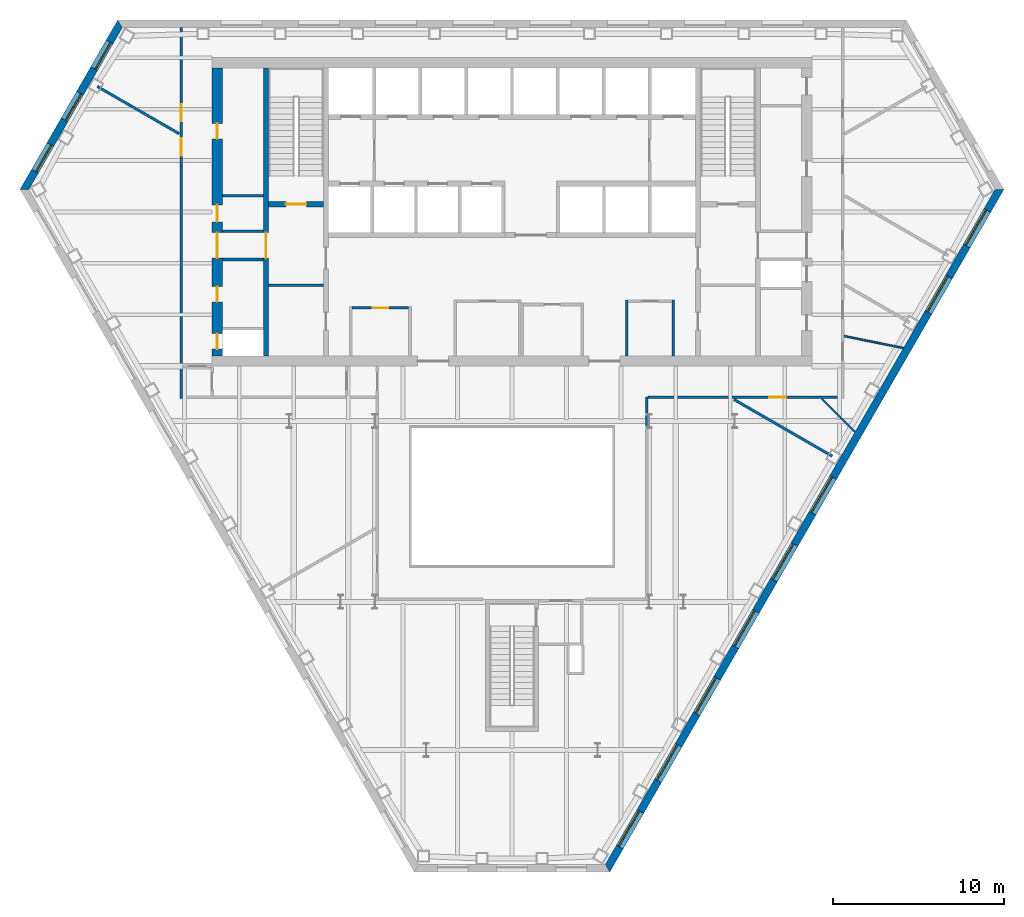
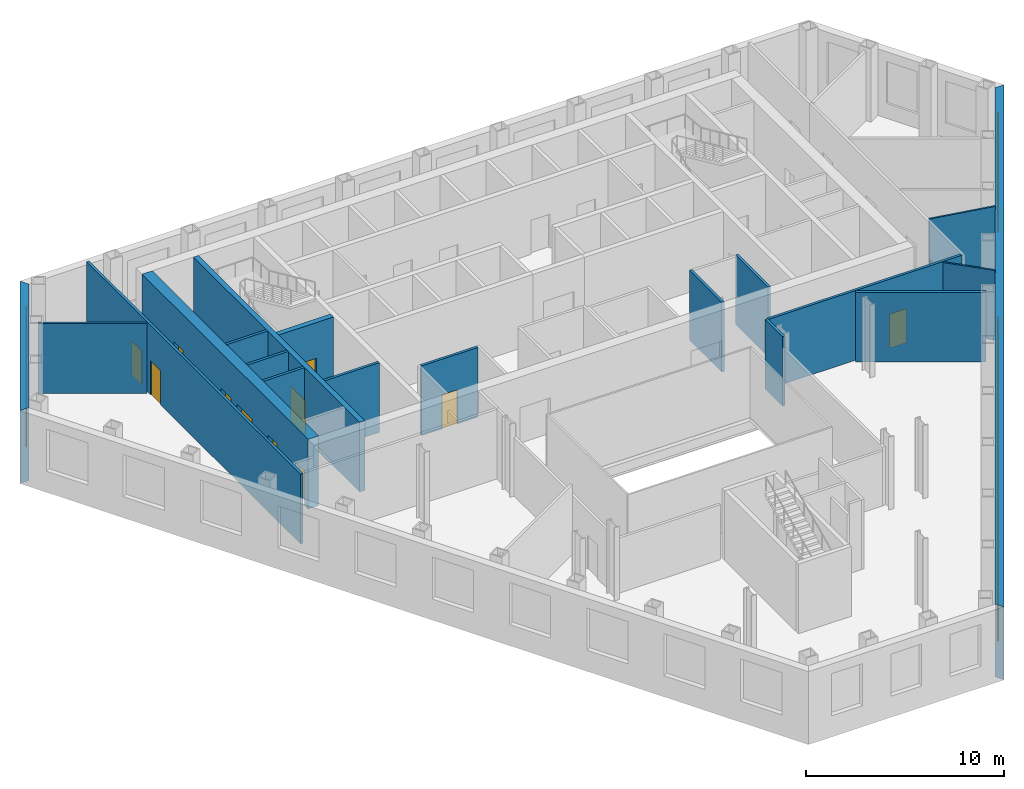
# One storey, part 5 of 10: 19 walls, 11 doors, 11 windows, 22 openings.
"""IFC4 building model written with IfcOpenShell, lengths in metres."""

from ifc_helpers import new_model, si_unit, direction, frame, frame_2d, origin, place, context, subcontext, project, spatial, polyline, rectangle, outline, extrude, material, layer, layer_set, type_object, element, fill, save


model = new_model("IFC4")

# Units and contexts
model_context = context("Model", 3, precision=1e-05, world=origin(), true_north=direction((0.0, 1.0)))
body_context = subcontext(model_context, "Body", "Model", "MODEL_VIEW")
ifc_project = project(units=[si_unit("LENGTHUNIT", "METRE"), si_unit("AREAUNIT", "SQUARE_METRE"), si_unit("VOLUMEUNIT", "CUBIC_METRE"), si_unit("PLANEANGLEUNIT", "RADIAN"), si_unit("MASSUNIT", "GRAM", prefix="KILO")], contexts=[model_context])

# Site, building, storey
site_placement = place(None, origin())
site = spatial("IfcSite", under=ifc_project, at=site_placement, CompositionType="ELEMENT")
building_placement = place(site_placement, origin())
building = spatial("IfcBuilding", under=site, at=building_placement, Name="Njiva Tower", CompositionType="ELEMENT")
storey_placement = place(building_placement, frame((0.0, 0.0, 51.3)))
storey = spatial("IfcBuildingStorey", under=building, at=storey_placement, Name="L10", CompositionType="ELEMENT", Elevation=51.3)

# Walls
ifc_material_1 = material(Name="Blockwork", Category="masonry")
ifc_layer_1 = layer(ifc_material_1, 0.15)
ifc_layer_set_1 = layer_set([ifc_layer_1], Name="Blockwork")
wall_type_1 = type_object("IfcWallType", Name="WT1 Compartment partition 150", PredefinedType="PARTITIONING", material=ifc_layer_set_1)
wall_1_placement = place(storey_placement, frame((-14.2, 4.725, 0.0), z_axis=(0.0, 0.0, 1.0), x_axis=(1.0, 0.0, 0.0)))
element("IfcWall", 1, at=wall_1_placement, inside=storey, type_object=wall_type_1, Name="Room wall A", PredefinedType="PARTITIONING", context=body_context, shape_type="SweptSolid", body=[
    extrude(rectangle(XDim=3.2, YDim=0.15, at=frame_2d((1.6, 0.0))), origin(), (0.0, 0.0, 1.0), 4.3),
])
wall_2_placement = place(storey_placement, frame((-16.9, 9.9575, 0.0), z_axis=(0.0, 0.0, 1.0), x_axis=(1.0, 0.0, 0.0)))
element("IfcWall", 2, at=wall_2_placement, inside=storey, type_object=wall_type_1, Name="Partition strip W10", PredefinedType="PARTITIONING", context=body_context, shape_type="SweptSolid", body=[
    extrude(rectangle(XDim=2.4, YDim=0.15, at=frame_2d((1.2, 0.0))), origin(), (0.0, 0.0, 1.0), 4.3),
])

# Wall, opening, door
wall_3_placement = place(storey_placement, frame((-9.325, 3.4, 0.0), z_axis=(0.0, 0.0, 1.0), x_axis=(1.0, 0.0, 0.0)))
wall_3 = element("IfcWall", 3, at=wall_3_placement, inside=storey, type_object=wall_type_1, Name="Waiting room wall north", PredefinedType="PARTITIONING", context=body_context, shape_type="SweptSolid", body=[
    extrude(rectangle(XDim=3.3, YDim=0.15, at=frame_2d((1.65, 0.0))), origin(), (0.0, 0.0, 1.0), 4.3),
])
opening_1_placement = place(wall_3_placement, frame((1.2, 0.0, 0.0)))
opening_1 = element("IfcOpeningElement", 4, at=opening_1_placement, cuts=wall_3, Name="Opening S03-D932", PredefinedType="OPENING", context=body_context, shape_type="SweptSolid", body=[
    extrude(rectangle(XDim=0.9, YDim=2.1, at=frame_2d((0.45, 1.05))), frame((0.0, 0.085, 0.0), z_axis=(0.0, -1.0, 0.0), x_axis=(1.0, 0.0, 0.0)), (0.0, 0.0, 1.0), 0.17),
])
ifc_material_2 = material(Name="Steel fire door, painted", Category="steel")
door_type_1 = type_object("IfcDoorType", Name="D6 Fire-rated door 900x2100", OperationType="SINGLE_SWING_LEFT", PredefinedType="DOOR", material=ifc_material_2)
door_1_placement = place(opening_1_placement, origin())
door_1 = element("IfcDoor", 5, at=door_1_placement, inside=storey, type_object=door_type_1, Name="Waiting room door", OperationType="SINGLE_SWING_RIGHT", OverallHeight=2.1, OverallWidth=0.9, PredefinedType="DOOR", context=body_context, shape_type="SweptSolid", body=[
    extrude(rectangle(XDim=0.9, YDim=2.1, at=frame_2d((0.45, 1.05))), frame((0.0, 0.025, 0.0), z_axis=(0.0, -1.0, 0.0), x_axis=(1.0, 0.0, 0.0)), (0.0, 0.0, 1.0), 0.05),
])
fill(opening_1, door_1)

# Walls
for number, where, z_axis, x_axis, name in (
    (6, (6.7, 0.6, 0.0), (0.0, 0.0, 1.0), (0.0, 1.0, 0.0), "Security office wall west"),
    (7, (9.4, 0.6, 0.0), (0.0, 0.0, 1.0), (0.0, 1.0, 0.0), "Security office wall east"),
):
    element("IfcWall", number, at=place(storey_placement, frame(where, z_axis=z_axis, x_axis=x_axis)), inside=storey, type_object=wall_type_1, Name=name, PredefinedType="PARTITIONING", context=body_context, shape_type="SweptSolid", body=[
        extrude(rectangle(XDim=3.275, YDim=0.15, at=frame_2d((1.6375, 0.0))), origin(), (0.0, 0.0, 1.0), 4.3),
    ])

# Wall, opening, door
ifc_material_3 = material(Name="Concrete C40/50", Category="concrete")
ifc_layer_2 = layer(ifc_material_3, 0.3)
ifc_layer_set_2 = layer_set([ifc_layer_2], Name="Concrete C40/50")
wall_type_2 = type_object("IfcWallType", Name="WT10 Stair enclosure wall 300", PredefinedType="SHEAR", material=ifc_layer_set_2)
wall_4_placement = place(storey_placement, frame((-14.35, 0.6, 0.0), z_axis=(0.0, 0.0, 1.0), x_axis=(0.0, 1.0, 0.0)))
wall_4 = element("IfcWall", 8, at=wall_4_placement, inside=storey, type_object=wall_type_2, Name="Stair wall west outer", PredefinedType="SHEAR", context=body_context, shape_type="SweptSolid", body=[
    extrude(rectangle(XDim=16.8, YDim=0.3, at=frame_2d((8.4, 0.0))), origin(), (0.0, 0.0, 1.0), 4.3),
])
opening_2_placement = place(wall_4_placement, frame((5.7, 0.0, 0.0)))
opening_2 = element("IfcOpeningElement", 9, at=opening_2_placement, cuts=wall_4, Name="Opening S03-D920", PredefinedType="OPENING", context=body_context, shape_type="SweptSolid", body=[
    extrude(rectangle(XDim=1.5, YDim=2.1, at=frame_2d((0.75, 1.05))), frame((0.0, 0.16, 0.0), z_axis=(0.0, -1.0, 0.0), x_axis=(1.0, 0.0, 0.0)), (0.0, 0.0, 1.0), 0.32),
])
ifc_material_4 = material(Name="Glazed steel fire door", Category="steel")
door_type_2 = type_object("IfcDoorType", Name="D10 Exit door double 1500x2100 glazed", OperationType="DOUBLE_DOOR_SINGLE_SWING", PredefinedType="DOOR", material=ifc_material_4)
door_2_placement = place(opening_2_placement, origin())
door_2 = element("IfcDoor", 10, at=door_2_placement, inside=storey, type_object=door_type_2, Name="Stair A passage door", OperationType="DOUBLE_DOOR_SINGLE_SWING", OverallHeight=2.1, OverallWidth=1.5, PredefinedType="DOOR", context=body_context, shape_type="SweptSolid", body=[
    extrude(rectangle(XDim=1.5, YDim=2.1, at=frame_2d((0.75, 1.05))), frame((0.0, 0.025, 0.0), z_axis=(0.0, -1.0, 0.0), x_axis=(1.0, 0.0, 0.0)), (0.0, 0.0, 1.0), 0.05),
])
fill(opening_2, door_2)

wall_5_placement = place(storey_placement, frame((-14.2, 9.45, 0.0), z_axis=(0.0, 0.0, 1.0), x_axis=(1.0, 0.0, 0.0)))
wall_5 = element("IfcWall", 11, at=wall_5_placement, inside=storey, type_object=wall_type_2, Name="Stair A south wall", PredefinedType="SHEAR", context=body_context, shape_type="SweptSolid", body=[
    extrude(rectangle(XDim=3.2, YDim=0.3, at=frame_2d((1.6, 0.0))), origin(), (0.0, 0.0, 1.0), 4.3),
])
opening_3_placement = place(wall_5_placement, frame((1.0, 0.0, 0.0)))
opening_3 = element("IfcOpeningElement", 12, at=opening_3_placement, cuts=wall_5, Name="Opening S03-D913", PredefinedType="OPENING", context=body_context, shape_type="SweptSolid", body=[
    extrude(rectangle(XDim=1.2, YDim=2.1, at=frame_2d((0.6, 1.05))), frame((0.0, 0.16, 0.0), z_axis=(0.0, -1.0, 0.0), x_axis=(1.0, 0.0, 0.0)), (0.0, 0.0, 1.0), 0.32),
])
door_type_3 = type_object("IfcDoorType", Name="D7 Stair vestibule door 1200x2100 glazed", OperationType="SINGLE_SWING_LEFT", PredefinedType="DOOR", material=ifc_material_4)
door_3_placement = place(opening_3_placement, origin())
door_3 = element("IfcDoor", 13, at=door_3_placement, inside=storey, type_object=door_type_3, Name="Stair A door", OperationType="SINGLE_SWING_LEFT", OverallHeight=2.1, OverallWidth=1.2, PredefinedType="DOOR", context=body_context, shape_type="SweptSolid", body=[
    extrude(rectangle(XDim=1.2, YDim=2.1, at=frame_2d((0.6, 1.05))), frame((0.0, 0.025, 0.0), z_axis=(0.0, -1.0, 0.0), x_axis=(1.0, 0.0, 0.0)), (0.0, 0.0, 1.0), 0.05),
])
fill(opening_3, door_3)

# Wall, openings, doors
ifc_material_5 = material(Name="Concrete C60/75", Category="concrete")
ifc_layer_3 = layer(ifc_material_5, 0.6)
ifc_layer_set_3 = layer_set([ifc_layer_3], Name="Concrete C60/75")
wall_type_3 = type_object("IfcWallType", Name="WT15 Core wall 600", PredefinedType="SHEAR", material=ifc_layer_set_3)
wall_6_placement = place(storey_placement, frame((-17.2, 0.6, 0.0), z_axis=(0.0, 0.0, 1.0), x_axis=(0.0, 1.0, 0.0)))
wall_6 = element("IfcWall", 14, at=wall_6_placement, inside=storey, type_object=wall_type_3, Name="Core wall west", PredefinedType="SHEAR", context=body_context, shape_type="SweptSolid", body=[
    extrude(rectangle(XDim=16.8, YDim=0.6, at=frame_2d((8.4, 0.0))), origin(), (0.0, 0.0, 1.0), 4.3),
])
opening_4_placement = place(wall_6_placement, frame((5.7, 0.0, 0.0)))
opening_4 = element("IfcOpeningElement", 15, at=opening_4_placement, cuts=wall_6, Name="Opening S03-D921", PredefinedType="OPENING", context=body_context, shape_type="SweptSolid", body=[
    extrude(rectangle(XDim=1.5, YDim=2.1, at=frame_2d((0.75, 1.05))), frame((0.0, 0.31, 0.0), z_axis=(0.0, -1.0, 0.0), x_axis=(1.0, 0.0, 0.0)), (0.0, 0.0, 1.0), 0.62),
])
opening_5_placement = place(wall_6_placement, frame((0.4, 0.0, 0.0)))
opening_5 = element("IfcOpeningElement", 16, at=opening_5_placement, cuts=wall_6, Name="Opening S03-D922", PredefinedType="OPENING", context=body_context, shape_type="SweptSolid", body=[
    extrude(rectangle(XDim=0.9, YDim=2.1, at=frame_2d((0.45, 1.05))), frame((0.0, 0.31, 0.0), z_axis=(0.0, -1.0, 0.0), x_axis=(1.0, 0.0, 0.0)), (0.0, 0.0, 1.0), 0.62),
])
opening_6_placement = place(wall_6_placement, frame((3.15, 0.0, 0.0)))
opening_6 = element("IfcOpeningElement", 17, at=opening_6_placement, cuts=wall_6, Name="Opening S03-D923", PredefinedType="OPENING", context=body_context, shape_type="SweptSolid", body=[
    extrude(rectangle(XDim=0.9, YDim=2.1, at=frame_2d((0.45, 1.05))), frame((0.0, 0.31, 0.0), z_axis=(0.0, -1.0, 0.0), x_axis=(1.0, 0.0, 0.0)), (0.0, 0.0, 1.0), 0.62),
])
opening_7_placement = place(wall_6_placement, frame((7.8162, 0.0, 0.0)))
opening_7 = element("IfcOpeningElement", 18, at=opening_7_placement, cuts=wall_6, Name="Opening S03-D924", PredefinedType="OPENING", context=body_context, shape_type="SweptSolid", body=[
    extrude(rectangle(XDim=1.0, YDim=2.1, at=frame_2d((0.5, 1.05))), frame((0.0, 0.31, 0.0), z_axis=(0.0, -1.0, 0.0), x_axis=(1.0, 0.0, 0.0)), (0.0, 0.0, 1.0), 0.62),
])
opening_8_placement = place(wall_6_placement, frame((12.6662, 0.0, 0.0)))
opening_8 = element("IfcOpeningElement", 19, at=opening_8_placement, cuts=wall_6, Name="Opening S03-D925", PredefinedType="OPENING", context=body_context, shape_type="SweptSolid", body=[
    extrude(rectangle(XDim=0.9, YDim=2.1, at=frame_2d((0.45, 1.05))), frame((0.0, 0.31, 0.0), z_axis=(0.0, -1.0, 0.0), x_axis=(1.0, 0.0, 0.0)), (0.0, 0.0, 1.0), 0.62),
])
door_4_placement = place(opening_4_placement, origin())
door_4 = element("IfcDoor", 20, at=door_4_placement, inside=storey, type_object=door_type_2, Name="Stair A corridor door", OperationType="DOUBLE_DOOR_SINGLE_SWING", OverallHeight=2.1, OverallWidth=1.5, PredefinedType="DOOR", context=body_context, shape_type="SweptSolid", body=[
    extrude(rectangle(XDim=1.5, YDim=2.1, at=frame_2d((0.75, 1.05))), frame((0.0, 0.025, 0.0), z_axis=(0.0, -1.0, 0.0), x_axis=(1.0, 0.0, 0.0)), (0.0, 0.0, 1.0), 0.05),
])
fill(opening_4, door_4)
ifc_material_6 = material(Name="Steel door, painted", Category="steel")
door_type_4 = type_object("IfcDoorType", Name="D4 Riser door 900x2100", OperationType="SINGLE_SWING_LEFT", PredefinedType="DOOR", material=ifc_material_6)
door_5_placement = place(opening_5_placement, origin())
door_5 = element("IfcDoor", 21, at=door_5_placement, inside=storey, type_object=door_type_4, Name="Riser door", OperationType="SINGLE_SWING_RIGHT", OverallHeight=2.1, OverallWidth=0.9, PredefinedType="DOOR", context=body_context, shape_type="SweptSolid", body=[
    extrude(rectangle(XDim=0.9, YDim=2.1, at=frame_2d((0.45, 1.05))), frame((0.0, 0.025, 0.0), z_axis=(0.0, -1.0, 0.0), x_axis=(1.0, 0.0, 0.0)), (0.0, 0.0, 1.0), 0.05),
])
fill(opening_5, door_5)
door_type_5 = type_object("IfcDoorType", Name="D5 Steel door 1000x2100", OperationType="SINGLE_SWING_LEFT", PredefinedType="DOOR", material=ifc_material_6)
door_6_placement = place(opening_7_placement, origin())
door_6 = element("IfcDoor", 22, at=door_6_placement, inside=storey, type_object=door_type_5, Name="Electrical room door", OperationType="SINGLE_SWING_LEFT", OverallHeight=2.1, OverallWidth=1.0, PredefinedType="DOOR", context=body_context, shape_type="SweptSolid", body=[
    extrude(rectangle(XDim=1.0, YDim=2.1, at=frame_2d((0.5, 1.05))), frame((0.0, 0.025, 0.0), z_axis=(0.0, -1.0, 0.0), x_axis=(1.0, 0.0, 0.0)), (0.0, 0.0, 1.0), 0.05),
])
fill(opening_7, door_6)
door_7_placement = place(opening_6_placement, origin())
door_7 = element("IfcDoor", 23, at=door_7_placement, inside=storey, type_object=door_type_1, Name="First aid room door", OperationType="SINGLE_SWING_LEFT", OverallHeight=2.1, OverallWidth=0.9, PredefinedType="DOOR", context=body_context, shape_type="SweptSolid", body=[
    extrude(rectangle(XDim=0.9, YDim=2.1, at=frame_2d((0.45, 1.05))), frame((0.0, 0.025, 0.0), z_axis=(0.0, -1.0, 0.0), x_axis=(1.0, 0.0, 0.0)), (0.0, 0.0, 1.0), 0.05),
])
fill(opening_6, door_7)
door_8_placement = place(opening_8_placement, origin())
door_8 = element("IfcDoor", 24, at=door_8_placement, inside=storey, type_object=door_type_1, Name="Breakout room door", OperationType="SINGLE_SWING_RIGHT", OverallHeight=2.1, OverallWidth=0.9, PredefinedType="DOOR", context=body_context, shape_type="SweptSolid", body=[
    extrude(rectangle(XDim=0.9, YDim=2.1, at=frame_2d((0.45, 1.05))), frame((0.0, 0.025, 0.0), z_axis=(0.0, -1.0, 0.0), x_axis=(1.0, 0.0, 0.0)), (0.0, 0.0, 1.0), 0.05),
])
fill(opening_8, door_8)

# Walls
ifc_material_7 = material(Name="Gypsum board on steel studs", Category="gypsum")
ifc_layer_4 = layer(ifc_material_7, 0.1)
ifc_layer_set_4 = layer_set([ifc_layer_4], Name="Gypsum board on steel studs")
wall_type_4 = type_object("IfcWallType", Name="WT20 Gypsum partition 100", PredefinedType="PARTITIONING", material=ifc_layer_set_4)
wall_7_placement = place(storey_placement, frame((18.088, -1.91, 0.0), z_axis=(0.0, 0.0, 1.0), x_axis=(0.707106781187, -0.707106781187, 0.0)))
element("IfcWall", 25, at=wall_7_placement, inside=storey, type_object=wall_type_4, Name="Partition S03-P015", PredefinedType="PARTITIONING", context=body_context, shape_type="SweptSolid", body=[
    extrude(rectangle(XDim=2.7224, YDim=0.1, at=frame_2d((1.3612, 0.0))), origin(), (0.0, 0.0, 1.0), 4.3),
])
wall_8_placement = place(storey_placement, frame((19.385, 1.757, 0.0), z_axis=(0.0, 0.0, 1.0), x_axis=(0.980240840704, -0.197807720316, 0.0)))
element("IfcWall", 26, at=wall_8_placement, inside=storey, type_object=wall_type_4, Name="Partition S03-P018", PredefinedType="PARTITIONING", context=body_context, shape_type="SweptSolid", body=[
    extrude(rectangle(XDim=3.5236, YDim=0.1, at=frame_2d((1.7618, 0.0))), origin(), (0.0, 0.0, 1.0), 4.3),
])
ifc_layer_5 = layer(ifc_material_7, 0.15)
ifc_layer_set_5 = layer_set([ifc_layer_5], Name="Gypsum board on steel studs")
wall_type_5 = type_object("IfcWallType", Name="WT21 Compartment wall 150", PredefinedType="PARTITIONING", material=ifc_layer_set_5)
wall_9_placement = place(storey_placement, frame((-24.199, 16.323, 0.0), z_axis=(0.0, 0.0, 1.0), x_axis=(0.866086170813, -0.499894733645, 0.0)))
element("IfcWall", 27, at=wall_9_placement, inside=storey, type_object=wall_type_5, Name="Partition S03-P001", PredefinedType="PARTITIONING", context=body_context, shape_type="SweptSolid", body=[
    extrude(rectangle(XDim=5.5272, YDim=0.15, at=frame_2d((2.7636, 0.0))), origin(), (0.0, 0.0, 1.0), 4.3),
])

# Wall, openings, doors
wall_10_placement = place(storey_placement, frame((-19.3, -1.875, 0.0), z_axis=(0.0, 0.0, 1.0), x_axis=(0.0, 1.0, 0.0)))
wall_10 = element("IfcWall", 28, at=wall_10_placement, inside=storey, type_object=wall_type_5, Name="Partition S03-P002", PredefinedType="PARTITIONING", context=body_context, shape_type="SweptSolid", body=[
    extrude(rectangle(XDim=21.624, YDim=0.15, at=frame_2d((10.812, 0.0))), origin(), (0.0, 0.0, 1.0), 4.3),
])
opening_9_placement = place(wall_10_placement, frame((14.166, 0.0, 0.0)))
opening_9 = element("IfcOpeningElement", 29, at=opening_9_placement, cuts=wall_10, Name="Opening S03-D001", PredefinedType="OPENING", context=body_context, shape_type="SweptSolid", body=[
    extrude(rectangle(XDim=1.0, YDim=2.1, at=frame_2d((0.5, 1.05))), frame((0.0, 0.085, 0.0), z_axis=(0.0, -1.0, 0.0), x_axis=(1.0, 0.0, 0.0)), (0.0, 0.0, 1.0), 0.17),
])
opening_10_placement = place(wall_10_placement, frame((16.17, 0.0, 0.0)))
opening_10 = element("IfcOpeningElement", 30, at=opening_10_placement, cuts=wall_10, Name="Opening S03-D002", PredefinedType="OPENING", context=body_context, shape_type="SweptSolid", body=[
    extrude(rectangle(XDim=1.0, YDim=2.1, at=frame_2d((0.5, 1.05))), frame((0.0, 0.085, 0.0), z_axis=(0.0, -1.0, 0.0), x_axis=(1.0, 0.0, 0.0)), (0.0, 0.0, 1.0), 0.17),
])
ifc_material_8 = material(Name="Steel fire door set", Category="steel")
door_type_6 = type_object("IfcDoorType", Name="D37 Fire door 1000x2100", OperationType="SINGLE_SWING_LEFT", PredefinedType="DOOR", material=ifc_material_8)
door_9_placement = place(opening_9_placement, origin())
door_9 = element("IfcDoor", 31, at=door_9_placement, inside=storey, type_object=door_type_6, Name="Door S03-D001", OperationType="SINGLE_SWING_LEFT", OverallHeight=2.1, OverallWidth=1.0, PredefinedType="DOOR", context=body_context, shape_type="SweptSolid", body=[
    extrude(rectangle(XDim=1.0, YDim=2.1, at=frame_2d((0.5, 1.05))), frame((0.0, 0.025, 0.0), z_axis=(0.0, -1.0, 0.0), x_axis=(1.0, 0.0, 0.0)), (0.0, 0.0, 1.0), 0.05),
])
fill(opening_9, door_9)
door_10_placement = place(opening_10_placement, origin())
door_10 = element("IfcDoor", 32, at=door_10_placement, inside=storey, type_object=door_type_6, Name="Door S03-D002", OperationType="SINGLE_SWING_LEFT", OverallHeight=2.1, OverallWidth=1.0, PredefinedType="DOOR", context=body_context, shape_type="SweptSolid", body=[
    extrude(rectangle(XDim=1.0, YDim=2.1, at=frame_2d((0.5, 1.05))), frame((0.0, 0.025, 0.0), z_axis=(0.0, -1.0, 0.0), x_axis=(1.0, 0.0, 0.0)), (0.0, 0.0, 1.0), 0.05),
])
fill(opening_10, door_10)

# Wall
wall_11_placement = place(storey_placement, frame((7.85, -3.557, 0.0), z_axis=(0.0, 0.0, 1.0), x_axis=(0.0, 1.0, 0.0)))
element("IfcWall", 33, at=wall_11_placement, inside=storey, type_object=wall_type_5, Name="Partition S03-P012A", PredefinedType="PARTITIONING", context=body_context, shape_type="SweptSolid", body=[
    extrude(rectangle(XDim=1.769, YDim=0.15, at=frame_2d((0.8845, 0.0))), origin(), (0.0, 0.0, 1.0), 4.3),
])

# Wall, opening, door
wall_12_placement = place(storey_placement, frame((7.925, -1.8, 0.0), z_axis=(0.0, 0.0, 1.0), x_axis=(1.0, 0.0, 0.0)))
wall_12 = element("IfcWall", 34, at=wall_12_placement, inside=storey, type_object=wall_type_5, Name="Partition S03-P013", PredefinedType="PARTITIONING", context=body_context, shape_type="SweptSolid", body=[
    extrude(rectangle(XDim=11.3, YDim=0.15, at=frame_2d((5.65, 0.0))), origin(), (0.0, 0.0, 1.0), 4.3),
])
opening_11_placement = place(wall_12_placement, frame((7.087, 0.0, 0.0)))
opening_11 = element("IfcOpeningElement", 35, at=opening_11_placement, cuts=wall_12, Name="Opening S03-D008", PredefinedType="OPENING", context=body_context, shape_type="SweptSolid", body=[
    extrude(rectangle(XDim=1.0, YDim=2.1, at=frame_2d((0.5, 1.05))), frame((0.0, 0.085, 0.0), z_axis=(0.0, -1.0, 0.0), x_axis=(1.0, 0.0, 0.0)), (0.0, 0.0, 1.0), 0.17),
])
door_11_placement = place(opening_11_placement, origin())
door_11 = element("IfcDoor", 36, at=door_11_placement, inside=storey, type_object=door_type_6, Name="Door S03-D008", OperationType="SINGLE_SWING_RIGHT", OverallHeight=2.1, OverallWidth=1.0, PredefinedType="DOOR", context=body_context, shape_type="SweptSolid", body=[
    extrude(rectangle(XDim=1.0, YDim=2.1, at=frame_2d((0.5, 1.05))), frame((0.0, 0.025, 0.0), z_axis=(0.0, -1.0, 0.0), x_axis=(1.0, 0.0, 0.0)), (0.0, 0.0, 1.0), 0.05),
])
fill(opening_11, door_11)

# Walls
wall_13_placement = place(storey_placement, frame((12.953, -1.94, 0.0), z_axis=(0.0, 0.0, 1.0), x_axis=(0.86605716012, -0.499944992379, 0.0)))
element("IfcWall", 37, at=wall_13_placement, inside=storey, type_object=wall_type_5, Name="Partition S03-P014", PredefinedType="PARTITIONING", context=body_context, shape_type="SweptSolid", body=[
    extrude(rectangle(XDim=6.6127, YDim=0.15, at=frame_2d((3.3064, 0.0))), origin(), (0.0, 0.0, 1.0), 4.3),
])
ifc_layer_6 = layer(ifc_material_1, 0.15)
ifc_layer_set_6 = layer_set([ifc_layer_6], Name="Blockwork")
wall_type_6 = type_object("IfcWallType", Name="WT4 Stair partition 150", PredefinedType="PARTITIONING", material=ifc_layer_set_6)
for number, where, z_axis, x_axis, name in (
    (38, (-16.9, 6.225, 0.0), (0.0, 0.0, 1.0), (1.0, 0.0, 0.0), "Stair A exit passage wall south"),
    (39, (-16.9, 7.875, 0.0), (0.0, 0.0, 1.0), (1.0, 0.0, 0.0), "Stair A exit passage wall north"),
):
    element("IfcWall", number, at=place(storey_placement, frame(where, z_axis=z_axis, x_axis=x_axis)), inside=storey, type_object=wall_type_6, Name=name, PredefinedType="PARTITIONING", context=body_context, shape_type="SweptSolid", body=[
        extrude(rectangle(XDim=2.4, YDim=0.15, at=frame_2d((1.2, 0.0))), origin(), (0.0, 0.0, 1.0), 4.3),
    ])

# Wall, openings, windows
ifc_material_9 = material(Name="Brick masonry", Category="masonry")
ifc_layer_7 = layer(ifc_material_9, 0.45)
ifc_layer_set_7 = layer_set([ifc_layer_7], Name="Brick masonry")
wall_type_7 = type_object("IfcWallType", Name="WT90 Brick pier and spandrel wall 450", PredefinedType="SOLIDWALL", material=ifc_layer_set_7)
wall_14_placement = place(storey_placement, frame((5.5751, -29.2935, -0.4), z_axis=(0.0, 0.0, 1.0), x_axis=(0.499999764979, 0.866025539474, 0.0)))
wall_14 = element("IfcWall", 40, at=wall_14_placement, inside=storey, type_object=wall_type_7, Name="Facade wall SE", PredefinedType="SOLIDWALL", context=body_context, shape_type="SweptSolid", body=[
    extrude(outline(polyline([(-0.1299, -0.225), (45.8701, -0.225), (45.6103, 0.225), (0.1299, 0.225), (-0.1299, -0.225)])), origin(), (0.0, 0.0, 1.0), 4.5),
])
opening_12_placement = place(wall_14_placement, frame((1.4242, 0.0, 1.3)))
opening_12 = element("IfcOpeningElement", 41, at=opening_12_placement, cuts=wall_14, Name="Opening S03-W25", PredefinedType="OPENING", context=body_context, shape_type="SweptSolid", body=[
    extrude(rectangle(XDim=2.4, YDim=2.6, at=frame_2d((1.2, 1.3))), frame((0.0, 0.235, 0.0), z_axis=(0.0, -1.0, 0.0), x_axis=(1.0, 0.0, 0.0)), (0.0, 0.0, 1.0), 0.47),
])
opening_13_placement = place(wall_14_placement, frame((5.8934, 0.0, 1.3)))
opening_13 = element("IfcOpeningElement", 42, at=opening_13_placement, cuts=wall_14, Name="Opening S03-W26", PredefinedType="OPENING", context=body_context, shape_type="SweptSolid", body=[
    extrude(rectangle(XDim=2.4, YDim=2.6, at=frame_2d((1.2, 1.3))), frame((0.0, 0.235, 0.0), z_axis=(0.0, -1.0, 0.0), x_axis=(1.0, 0.0, 0.0)), (0.0, 0.0, 1.0), 0.47),
])
opening_14_placement = place(wall_14_placement, frame((10.401, 0.0, 1.3)))
opening_14 = element("IfcOpeningElement", 43, at=opening_14_placement, cuts=wall_14, Name="Opening S03-W27", PredefinedType="OPENING", context=body_context, shape_type="SweptSolid", body=[
    extrude(rectangle(XDim=2.4, YDim=2.6, at=frame_2d((1.2, 1.3))), frame((0.0, 0.235, 0.0), z_axis=(0.0, -1.0, 0.0), x_axis=(1.0, 0.0, 0.0)), (0.0, 0.0, 1.0), 0.47),
])
opening_15_placement = place(wall_14_placement, frame((14.9087, 0.0, 1.3)))
opening_15 = element("IfcOpeningElement", 44, at=opening_15_placement, cuts=wall_14, Name="Opening S03-W28", PredefinedType="OPENING", context=body_context, shape_type="SweptSolid", body=[
    extrude(rectangle(XDim=2.4, YDim=2.6, at=frame_2d((1.2, 1.3))), frame((0.0, 0.235, 0.0), z_axis=(0.0, -1.0, 0.0), x_axis=(1.0, 0.0, 0.0)), (0.0, 0.0, 1.0), 0.47),
])
opening_16_placement = place(wall_14_placement, frame((19.4163, 0.0, 1.3)))
opening_16 = element("IfcOpeningElement", 45, at=opening_16_placement, cuts=wall_14, Name="Opening S03-W29", PredefinedType="OPENING", context=body_context, shape_type="SweptSolid", body=[
    extrude(rectangle(XDim=2.4, YDim=2.6, at=frame_2d((1.2, 1.3))), frame((0.0, 0.235, 0.0), z_axis=(0.0, -1.0, 0.0), x_axis=(1.0, 0.0, 0.0)), (0.0, 0.0, 1.0), 0.47),
])
opening_17_placement = place(wall_14_placement, frame((23.9239, 0.0, 1.3)))
opening_17 = element("IfcOpeningElement", 46, at=opening_17_placement, cuts=wall_14, Name="Opening S03-W30", PredefinedType="OPENING", context=body_context, shape_type="SweptSolid", body=[
    extrude(rectangle(XDim=2.4, YDim=2.6, at=frame_2d((1.2, 1.3))), frame((0.0, 0.235, 0.0), z_axis=(0.0, -1.0, 0.0), x_axis=(1.0, 0.0, 0.0)), (0.0, 0.0, 1.0), 0.47),
])
opening_18_placement = place(wall_14_placement, frame((37.4468, 0.0, 1.3)))
opening_18 = element("IfcOpeningElement", 47, at=opening_18_placement, cuts=wall_14, Name="Opening S03-W31", PredefinedType="OPENING", context=body_context, shape_type="SweptSolid", body=[
    extrude(rectangle(XDim=2.4, YDim=2.6, at=frame_2d((1.2, 1.3))), frame((0.0, 0.235, 0.0), z_axis=(0.0, -1.0, 0.0), x_axis=(1.0, 0.0, 0.0)), (0.0, 0.0, 1.0), 0.47),
])
opening_19_placement = place(wall_14_placement, frame((41.916, 0.0, 1.3)))
opening_19 = element("IfcOpeningElement", 48, at=opening_19_placement, cuts=wall_14, Name="Opening S03-W32", PredefinedType="OPENING", context=body_context, shape_type="SweptSolid", body=[
    extrude(rectangle(XDim=2.4, YDim=2.6, at=frame_2d((1.2, 1.3))), frame((0.0, 0.235, 0.0), z_axis=(0.0, -1.0, 0.0), x_axis=(1.0, 0.0, 0.0)), (0.0, 0.0, 1.0), 0.47),
])
ifc_material_10 = material(Name="Clear glazing in aluminium frame", Category="aluminium")
window_type_1 = type_object("IfcWindowType", Name="W92 Deep-set window 2400x2600", PartitioningType="SINGLE_PANEL", PredefinedType="WINDOW", material=ifc_material_10)
window_1_placement = place(opening_12_placement, origin())
window_1 = element("IfcWindow", 49, at=window_1_placement, inside=storey, type_object=window_type_1, Name="Window", OverallHeight=2.6, OverallWidth=2.4, PartitioningType="SINGLE_PANEL", PredefinedType="WINDOW", context=body_context, shape_type="SweptSolid", body=[
    extrude(rectangle(XDim=2.4, YDim=2.6, at=frame_2d((1.2, 1.3))), frame((0.0, 0.105, 0.0), z_axis=(0.0, -1.0, 0.0), x_axis=(1.0, 0.0, 0.0)), (0.0, 0.0, 1.0), 0.06),
])
fill(opening_12, window_1)
window_2_placement = place(opening_13_placement, origin())
window_2 = element("IfcWindow", 50, at=window_2_placement, inside=storey, type_object=window_type_1, Name="Window", OverallHeight=2.6, OverallWidth=2.4, PartitioningType="SINGLE_PANEL", PredefinedType="WINDOW", context=body_context, shape_type="SweptSolid", body=[
    extrude(rectangle(XDim=2.4, YDim=2.6, at=frame_2d((1.2, 1.3))), frame((0.0, 0.105, 0.0), z_axis=(0.0, -1.0, 0.0), x_axis=(1.0, 0.0, 0.0)), (0.0, 0.0, 1.0), 0.06),
])
fill(opening_13, window_2)
window_3_placement = place(opening_14_placement, origin())
window_3 = element("IfcWindow", 51, at=window_3_placement, inside=storey, type_object=window_type_1, Name="Window", OverallHeight=2.6, OverallWidth=2.4, PartitioningType="SINGLE_PANEL", PredefinedType="WINDOW", context=body_context, shape_type="SweptSolid", body=[
    extrude(rectangle(XDim=2.4, YDim=2.6, at=frame_2d((1.2, 1.3))), frame((0.0, 0.105, 0.0), z_axis=(0.0, -1.0, 0.0), x_axis=(1.0, 0.0, 0.0)), (0.0, 0.0, 1.0), 0.06),
])
fill(opening_14, window_3)
window_4_placement = place(opening_15_placement, origin())
window_4 = element("IfcWindow", 52, at=window_4_placement, inside=storey, type_object=window_type_1, Name="Window", OverallHeight=2.6, OverallWidth=2.4, PartitioningType="SINGLE_PANEL", PredefinedType="WINDOW", context=body_context, shape_type="SweptSolid", body=[
    extrude(rectangle(XDim=2.4, YDim=2.6, at=frame_2d((1.2, 1.3))), frame((0.0, 0.105, 0.0), z_axis=(0.0, -1.0, 0.0), x_axis=(1.0, 0.0, 0.0)), (0.0, 0.0, 1.0), 0.06),
])
fill(opening_15, window_4)
window_5_placement = place(opening_16_placement, origin())
window_5 = element("IfcWindow", 53, at=window_5_placement, inside=storey, type_object=window_type_1, Name="Window", OverallHeight=2.6, OverallWidth=2.4, PartitioningType="SINGLE_PANEL", PredefinedType="WINDOW", context=body_context, shape_type="SweptSolid", body=[
    extrude(rectangle(XDim=2.4, YDim=2.6, at=frame_2d((1.2, 1.3))), frame((0.0, 0.105, 0.0), z_axis=(0.0, -1.0, 0.0), x_axis=(1.0, 0.0, 0.0)), (0.0, 0.0, 1.0), 0.06),
])
fill(opening_16, window_5)
window_6_placement = place(opening_17_placement, origin())
window_6 = element("IfcWindow", 54, at=window_6_placement, inside=storey, type_object=window_type_1, Name="Window", OverallHeight=2.6, OverallWidth=2.4, PartitioningType="SINGLE_PANEL", PredefinedType="WINDOW", context=body_context, shape_type="SweptSolid", body=[
    extrude(rectangle(XDim=2.4, YDim=2.6, at=frame_2d((1.2, 1.3))), frame((0.0, 0.105, 0.0), z_axis=(0.0, -1.0, 0.0), x_axis=(1.0, 0.0, 0.0)), (0.0, 0.0, 1.0), 0.06),
])
fill(opening_17, window_6)
window_7_placement = place(opening_18_placement, origin())
window_7 = element("IfcWindow", 55, at=window_7_placement, inside=storey, type_object=window_type_1, Name="Window", OverallHeight=2.6, OverallWidth=2.4, PartitioningType="SINGLE_PANEL", PredefinedType="WINDOW", context=body_context, shape_type="SweptSolid", body=[
    extrude(rectangle(XDim=2.4, YDim=2.6, at=frame_2d((1.2, 1.3))), frame((0.0, 0.105, 0.0), z_axis=(0.0, -1.0, 0.0), x_axis=(1.0, 0.0, 0.0)), (0.0, 0.0, 1.0), 0.06),
])
fill(opening_18, window_7)
window_8_placement = place(opening_19_placement, origin())
window_8 = element("IfcWindow", 56, at=window_8_placement, inside=storey, type_object=window_type_1, Name="Window", OverallHeight=2.6, OverallWidth=2.4, PartitioningType="SINGLE_PANEL", PredefinedType="WINDOW", context=body_context, shape_type="SweptSolid", body=[
    extrude(rectangle(XDim=2.4, YDim=2.6, at=frame_2d((1.2, 1.3))), frame((0.0, 0.105, 0.0), z_axis=(0.0, -1.0, 0.0), x_axis=(1.0, 0.0, 0.0)), (0.0, 0.0, 1.0), 0.06),
])
fill(opening_19, window_8)

ifc_material_11 = material(Name="Brick masonry, buff", Category="masonry")
ifc_layer_8 = layer(ifc_material_11, 0.45)
ifc_layer_set_8 = layer_set([ifc_layer_8], Name="Brick masonry, buff")
wall_type_8 = type_object("IfcWallType", Name="WT94 Brick pier and spandrel wall 450, buff", PredefinedType="SOLIDWALL", material=ifc_layer_set_8)
wall_15_placement = place(storey_placement, frame((-22.8701, 19.975, -0.4), z_axis=(0.0, 0.0, 1.0), x_axis=(-0.500002192499, -0.866024137941, 0.0)))
wall_15 = element("IfcWall", 57, at=wall_15_placement, inside=storey, type_object=wall_type_8, Name="Facade wall NW", PredefinedType="SOLIDWALL", context=body_context, shape_type="SweptSolid", body=[
    extrude(outline(polyline([(-0.1299, -0.225), (11.2801, -0.225), (11.0203, 0.225), (0.1299, 0.225), (-0.1299, -0.225)])), origin(), (0.0, 0.0, 1.0), 4.5),
])
opening_20_placement = place(wall_15_placement, frame((1.2181, 0.0, 1.3)))
opening_20 = element("IfcOpeningElement", 58, at=opening_20_placement, cuts=wall_15, Name="Opening S03-W09", PredefinedType="OPENING", context=body_context, shape_type="SweptSolid", body=[
    extrude(rectangle(XDim=1.8, YDim=2.6, at=frame_2d((0.9, 1.3))), frame((0.0, 0.235, 0.0), z_axis=(0.0, -1.0, 0.0), x_axis=(1.0, 0.0, 0.0)), (0.0, 0.0, 1.0), 0.47),
])
opening_21_placement = place(wall_15_placement, frame((4.6751, 0.0, 1.3)))
opening_21 = element("IfcOpeningElement", 59, at=opening_21_placement, cuts=wall_15, Name="Opening S03-W10", PredefinedType="OPENING", context=body_context, shape_type="SweptSolid", body=[
    extrude(rectangle(XDim=1.8, YDim=2.6, at=frame_2d((0.9, 1.3))), frame((0.0, 0.235, 0.0), z_axis=(0.0, -1.0, 0.0), x_axis=(1.0, 0.0, 0.0)), (0.0, 0.0, 1.0), 0.47),
])
opening_22_placement = place(wall_15_placement, frame((8.1321, 0.0, 1.3)))
opening_22 = element("IfcOpeningElement", 60, at=opening_22_placement, cuts=wall_15, Name="Opening S03-W11", PredefinedType="OPENING", context=body_context, shape_type="SweptSolid", body=[
    extrude(rectangle(XDim=1.8, YDim=2.6, at=frame_2d((0.9, 1.3))), frame((0.0, 0.235, 0.0), z_axis=(0.0, -1.0, 0.0), x_axis=(1.0, 0.0, 0.0)), (0.0, 0.0, 1.0), 0.47),
])
window_type_2 = type_object("IfcWindowType", Name="W96 Deep-set window 1800x2600", PartitioningType="SINGLE_PANEL", PredefinedType="WINDOW", material=ifc_material_10)
window_9_placement = place(opening_20_placement, origin())
window_9 = element("IfcWindow", 61, at=window_9_placement, inside=storey, type_object=window_type_2, Name="Window", OverallHeight=2.6, OverallWidth=1.8, PartitioningType="SINGLE_PANEL", PredefinedType="WINDOW", context=body_context, shape_type="SweptSolid", body=[
    extrude(rectangle(XDim=1.8, YDim=2.6, at=frame_2d((0.9, 1.3))), frame((0.0, 0.105, 0.0), z_axis=(0.0, -1.0, 0.0), x_axis=(1.0, 0.0, 0.0)), (0.0, 0.0, 1.0), 0.06),
])
fill(opening_20, window_9)
window_10_placement = place(opening_21_placement, origin())
window_10 = element("IfcWindow", 62, at=window_10_placement, inside=storey, type_object=window_type_2, Name="Window", OverallHeight=2.6, OverallWidth=1.8, PartitioningType="SINGLE_PANEL", PredefinedType="WINDOW", context=body_context, shape_type="SweptSolid", body=[
    extrude(rectangle(XDim=1.8, YDim=2.6, at=frame_2d((0.9, 1.3))), frame((0.0, 0.105, 0.0), z_axis=(0.0, -1.0, 0.0), x_axis=(1.0, 0.0, 0.0)), (0.0, 0.0, 1.0), 0.06),
])
fill(opening_21, window_10)
window_11_placement = place(opening_22_placement, origin())
window_11 = element("IfcWindow", 63, at=window_11_placement, inside=storey, type_object=window_type_2, Name="Window", OverallHeight=2.6, OverallWidth=1.8, PartitioningType="SINGLE_PANEL", PredefinedType="WINDOW", context=body_context, shape_type="SweptSolid", body=[
    extrude(rectangle(XDim=1.8, YDim=2.6, at=frame_2d((0.9, 1.3))), frame((0.0, 0.105, 0.0), z_axis=(0.0, -1.0, 0.0), x_axis=(1.0, 0.0, 0.0)), (0.0, 0.0, 1.0), 0.06),
])
fill(opening_22, window_11)

save(model, "model.ifc")
